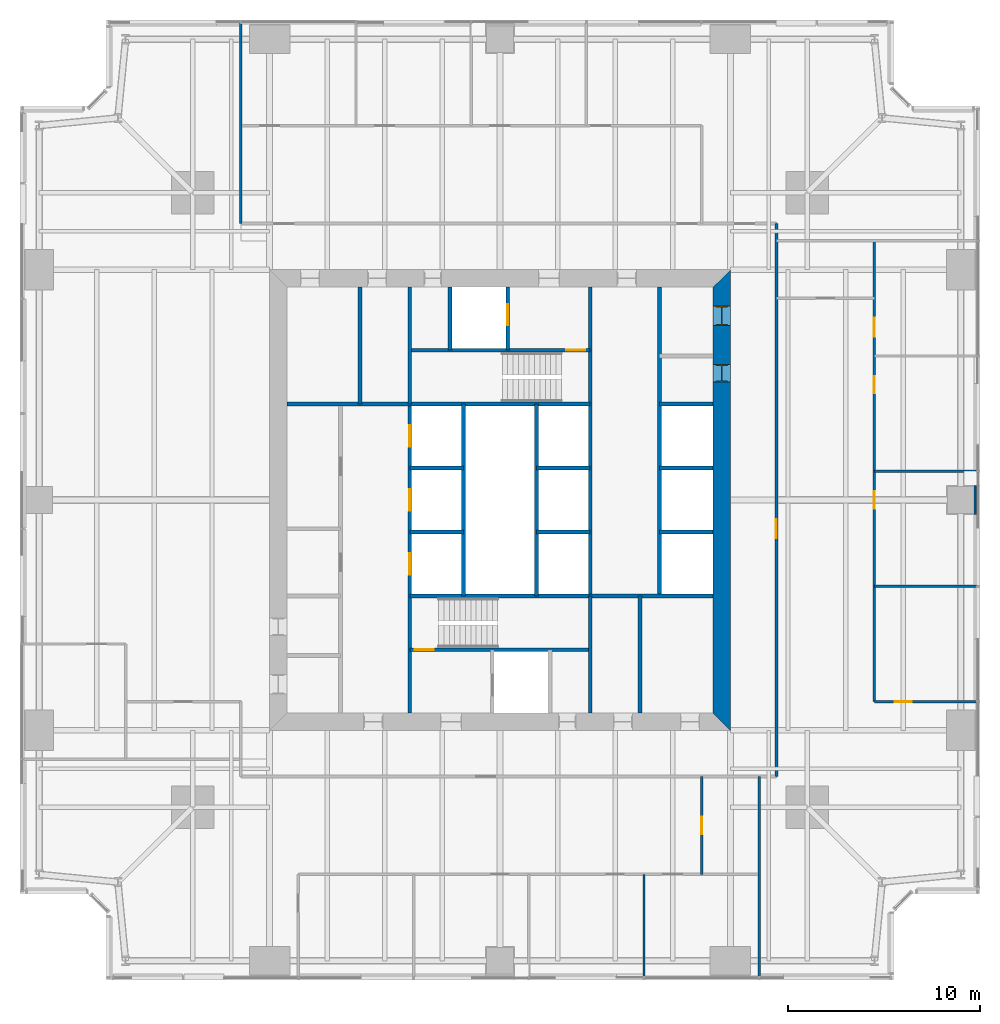
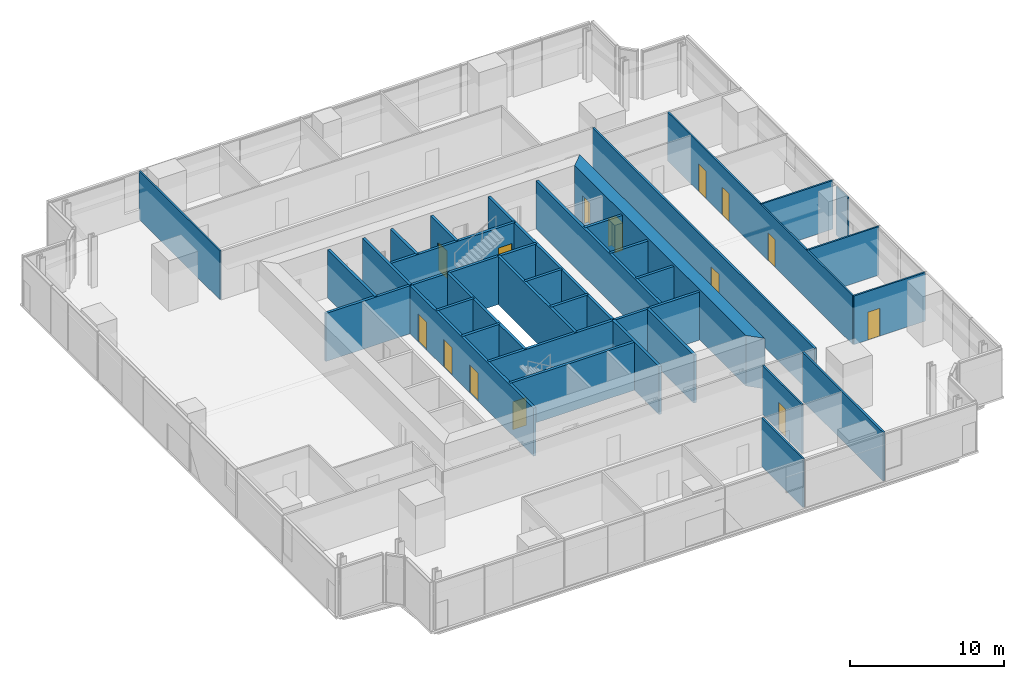
# One storey, part 10 of 13: 33 walls, 14 doors, 14 openings.
"""IFC4 building model written with IfcOpenShell, lengths in metres."""

from ifc_helpers import new_model, si_unit, direction, frame, frame_2d, origin, place, context, subcontext, project, spatial, polyline, rectangle, outline, extrude, material, layer, layer_set, type_object, element, fill, save


model = new_model("IFC4")

# Units and contexts
model_context = context("Model", 3, precision=1e-05, world=origin(), true_north=direction((0.0, 1.0)))
body_context = subcontext(model_context, "Body", "Model", "MODEL_VIEW")
ifc_project = project(units=[si_unit("LENGTHUNIT", "METRE"), si_unit("AREAUNIT", "SQUARE_METRE"), si_unit("VOLUMEUNIT", "CUBIC_METRE"), si_unit("PLANEANGLEUNIT", "RADIAN"), si_unit("MASSUNIT", "GRAM", prefix="KILO")], contexts=[model_context])

# Site, building, storey
site_placement = place(None, origin())
site = spatial("IfcSite", under=ifc_project, at=site_placement, CompositionType="ELEMENT")
building_placement = place(site_placement, origin())
building = spatial("IfcBuilding", under=site, at=building_placement, Name="Fenwick Lantern Interchange", CompositionType="ELEMENT")
storey_placement = place(building_placement, frame((0.0, 0.0, 106.39990234375)))
storey = spatial("IfcBuildingStorey", under=building, at=storey_placement, Name="L24", CompositionType="ELEMENT", Elevation=106.39990234375)

# Walls
ifc_material_1 = material(Name="Fire-rated gypsum board encasement on steel studs, 2 hour", Category="steel")
ifc_layer_1 = layer(ifc_material_1, 1.5)
ifc_layer_set_1 = layer_set([ifc_layer_1], Name="COLUMN PIER 1500")
wall_type_1 = type_object("IfcWallType", Name="COLUMN PIER 1500", PredefinedType="PARTITIONING", material=ifc_layer_set_1)
wall_1_placement = place(storey_placement, frame((49.800048828125, 25.0, 0.0), z_axis=(0.0, 0.0, 1.0), x_axis=(-1.0, 0.0, 0.0)))
element("IfcWall", 1, at=wall_1_placement, inside=storey, type_object=wall_type_1, Name="L24/W/PIER/CE3", PredefinedType="PARTITIONING", context=body_context, shape_type="SweptSolid", body=[
    extrude(rectangle(XDim=0.10009765625, YDim=1.5, at=frame_2d((0.050048828125, 0.0))), origin(), (0.0, 0.0, 1.0), 3.85009765625),
])
ifc_material_2 = material(Name="Concrete masonry ASTM C90 Grade N", Category="masonry")
ifc_layer_2 = layer(ifc_material_2, 0.199951171875)
ifc_layer_set_2 = layer_set([ifc_layer_2], Name="Concrete masonry ASTM C90 Grade N")
wall_type_2 = type_object("IfcWallType", Name="CORE PARTITION 200", PredefinedType="PARTITIONING", material=ifc_layer_set_2)
for number, where, z_axis, x_axis, name in (
    (2, (20.300048828125, 23.333251953125, 0.0), (0.0, 0.0, 1.0), (1.0, 0.0, 0.0), "L24/W/CORES/e1"),
    (3, (20.300048828125, 26.666748046875, 0.0), (0.0, 0.0, 1.0), (1.0, 0.0, 0.0), "L24/W/CORES/e2"),
):
    element("IfcWall", number, at=place(storey_placement, frame(where, z_axis=z_axis, x_axis=x_axis)), inside=storey, type_object=wall_type_2, Name=name, PredefinedType="PARTITIONING", context=body_context, shape_type="SweptSolid", body=[
        extrude(rectangle(XDim=2.800048828125, YDim=0.199951171875, at=frame_2d((1.39990234375, 0.0))), origin(), (0.0, 0.0, 1.0), 3.800048828125),
    ])
wall_2_placement = place(storey_placement, frame((23.10009765625, 20.0, 0.0), z_axis=(0.0, 0.0, 1.0), x_axis=(0.0, 1.0, 0.0)))
element("IfcWall", 4, at=wall_2_placement, inside=storey, type_object=wall_type_2, Name="L24/W/CORES/e3", PredefinedType="PARTITIONING", context=body_context, shape_type="SweptSolid", body=[
    extrude(rectangle(XDim=10.0, YDim=0.199951171875, at=frame_2d((5.0, 0.0))), origin(), (0.0, 0.0, 1.0), 3.800048828125),
])
wall_3_placement = place(storey_placement, frame((32.300048828125, 13.89990234375, 0.0), z_axis=(0.0, 0.0, 1.0), x_axis=(0.0, 1.0, 0.0)))
element("IfcWall", 5, at=wall_3_placement, inside=storey, type_object=wall_type_2, Name="L24/W/CORES/i2", PredefinedType="PARTITIONING", context=body_context, shape_type="SweptSolid", body=[
    extrude(rectangle(XDim=6.10009765625, YDim=0.199951171875, at=frame_2d((3.050048828125, 0.0))), origin(), (0.0, 0.0, 1.0), 3.800048828125),
])
wall_4_placement = place(storey_placement, frame((33.300048828125, 36.10009765625, 0.0), z_axis=(0.0, 0.0, 1.0), x_axis=(0.0, -1.0, 0.0)))
element("IfcWall", 6, at=wall_4_placement, inside=storey, type_object=wall_type_2, Name="L24/W/COREN/a", PredefinedType="PARTITIONING", context=body_context, shape_type="SweptSolid", body=[
    extrude(rectangle(XDim=16.10009765625, YDim=0.199951171875, at=frame_2d((8.050048828125, 0.0))), origin(), (0.0, 0.0, 1.0), 3.800048828125),
])
for number, where, z_axis, x_axis, name in (
    (7, (36.10009765625, 30.0, 0.0), (0.0, 0.0, 1.0), (-1.0, 0.0, 0.0), "L24/W/COREN/c2"),
    (8, (36.10009765625, 26.666748046875, 0.0), (0.0, 0.0, 1.0), (-1.0, 0.0, 0.0), "L24/W/COREN/d1"),
    (9, (36.10009765625, 23.333251953125, 0.0), (0.0, 0.0, 1.0), (-1.0, 0.0, 0.0), "L24/W/COREN/d2"),
    (10, (29.699951171875, 26.666748046875, 0.0), (0.0, 0.0, 1.0), (-1.0, 0.0, 0.0), "L24/W/COREN/e1"),
    (11, (29.699951171875, 23.333251953125, 0.0), (0.0, 0.0, 1.0), (-1.0, 0.0, 0.0), "L24/W/COREN/e2"),
):
    element("IfcWall", number, at=place(storey_placement, frame(where, z_axis=z_axis, x_axis=x_axis)), inside=storey, type_object=wall_type_2, Name=name, PredefinedType="PARTITIONING", context=body_context, shape_type="SweptSolid", body=[
        extrude(rectangle(XDim=2.800048828125, YDim=0.199951171875, at=frame_2d((1.39990234375, 0.0))), origin(), (0.0, 0.0, 1.0), 3.800048828125),
    ])
wall_5_placement = place(storey_placement, frame((26.89990234375, 30.0, 0.0), z_axis=(0.0, 0.0, 1.0), x_axis=(0.0, -1.0, 0.0)))
element("IfcWall", 12, at=wall_5_placement, inside=storey, type_object=wall_type_2, Name="L24/W/COREN/e3", PredefinedType="PARTITIONING", context=body_context, shape_type="SweptSolid", body=[
    extrude(rectangle(XDim=10.0, YDim=0.199951171875, at=frame_2d((5.0, 0.0))), origin(), (0.0, 0.0, 1.0), 3.800048828125),
])

# Wall, opening, door
wall_6_placement = place(storey_placement, frame((25.39990234375, 36.10009765625, 0.0), z_axis=(0.0, 0.0, 1.0), x_axis=(0.0, -1.0, 0.0)))
wall_6 = element("IfcWall", 13, at=wall_6_placement, inside=storey, type_object=wall_type_2, Name="L24/W/COREN/h1", PredefinedType="PARTITIONING", context=body_context, shape_type="SweptSolid", body=[
    extrude(rectangle(XDim=3.300048828125, YDim=0.199951171875, at=frame_2d((1.64990234375, 0.0))), origin(), (0.0, 0.0, 1.0), 3.800048828125),
])
opening_1_placement = place(wall_6_placement, frame((0.89990234375, 0.0, 0.0)))
opening_1 = element("IfcOpeningElement", 14, at=opening_1_placement, cuts=wall_6, Name="Opening LD-FL2", PredefinedType="OPENING", context=body_context, shape_type="SweptSolid", body=[
    extrude(rectangle(XDim=1.10009765625, YDim=2.199951171875, at=frame_2d((0.550048828125, 1.10009765625))), frame((0.0, 0.10986328125, 0.0), z_axis=(0.0, -1.0, 0.0), x_axis=(1.0, 0.0, 0.0)), (0.0, 0.0, 1.0), 0.219970703125),
])
ifc_material_3 = material(Name="Steel door and frame", Category="steel")
door_type_1 = type_object("IfcDoorType", Name="LIFT LANDING DOOR 1100 X 2200", OperationType="DOUBLE_DOOR_SLIDING", PredefinedType="DOOR", material=ifc_material_3)
door_1_placement = place(opening_1_placement, origin())
door_1 = element("IfcDoor", 15, at=door_1_placement, inside=storey, type_object=door_type_1, Name="Lift landing door FL2", OperationType="DOUBLE_DOOR_SLIDING", OverallHeight=2.199951171875, OverallWidth=1.10009765625, PredefinedType="DOOR", context=body_context, shape_type="SweptSolid", body=[
    extrude(rectangle(XDim=1.10009765625, YDim=2.199951171875, at=frame_2d((0.550048828125, 1.10009765625))), frame((0.0, 0.02490234375, 0.0), z_axis=(0.0, -1.0, 0.0), x_axis=(1.0, 0.0, 0.0)), (0.0, 0.0, 1.0), 0.050048828125),
])
fill(opening_1, door_1)

# Walls
wall_7_placement = place(storey_placement, frame((22.39990234375, 36.10009765625, 0.0), z_axis=(0.0, 0.0, 1.0), x_axis=(0.0, -1.0, 0.0)))
element("IfcWall", 16, at=wall_7_placement, inside=storey, type_object=wall_type_2, Name="L24/W/COREN/h2", PredefinedType="PARTITIONING", context=body_context, shape_type="SweptSolid", body=[
    extrude(rectangle(XDim=3.300048828125, YDim=0.199951171875, at=frame_2d((1.64990234375, 0.0))), origin(), (0.0, 0.0, 1.0), 3.800048828125),
])
wall_8_placement = place(storey_placement, frame((17.699951171875, 36.10009765625, 0.0), z_axis=(0.0, 0.0, 1.0), x_axis=(0.0, -1.0, 0.0)))
element("IfcWall", 17, at=wall_8_placement, inside=storey, type_object=wall_type_2, Name="L24/W/COREN/i2", PredefinedType="PARTITIONING", context=body_context, shape_type="SweptSolid", body=[
    extrude(rectangle(XDim=6.10009765625, YDim=0.199951171875, at=frame_2d((3.050048828125, 0.0))), origin(), (0.0, 0.0, 1.0), 3.800048828125),
])

# Wall, openings, doors
ifc_material_4 = material(Name="Concrete f'c 70 MPa", Category="concrete")
ifc_layer_3 = layer(ifc_material_4, 0.89990234375)
ifc_layer_set_3 = layer_set([ifc_layer_3], Name="CORE WALL 900")
wall_type_3 = type_object("IfcWallType", Name="CORE WALL 900", PredefinedType="SHEAR", material=ifc_layer_set_3)
wall_9_placement = place(storey_placement, frame((36.550048828125, 13.89990234375, 0.0), z_axis=(0.0, 0.0, 1.0), x_axis=(0.0, 1.0, 0.0)))
wall_9 = element("IfcWall", 18, at=wall_9_placement, inside=storey, type_object=wall_type_3, Name="L24/CORE/E", PredefinedType="SHEAR", context=body_context, shape_type="SweptSolid", body=[
    extrude(outline(polyline([(-0.89990234375, -0.449951171875), (23.10009765625, -0.449951171875), (22.199951171875, 0.449951171875), (0.0, 0.449951171875), (-0.89990234375, -0.449951171875)])), origin(), (0.0, 0.0, 1.0), 4.0),
])
opening_2_placement = place(wall_9_placement, frame((20.199951171875, 0.0, 0.0)))
opening_2 = element("IfcOpeningElement", 19, at=opening_2_placement, cuts=wall_9, Name="Opening L24-D017", PredefinedType="OPENING", context=body_context, shape_type="SweptSolid", body=[
    extrude(rectangle(XDim=1.0, YDim=2.199951171875, at=frame_2d((0.5, 1.10009765625))), frame((0.0, 0.4599609375, 0.0), z_axis=(0.0, -1.0, 0.0), x_axis=(1.0, 0.0, 0.0)), (0.0, 0.0, 1.0), 0.919921875),
])
opening_3_placement = place(wall_9_placement, frame((17.25, 0.0, 0.0)))
opening_3 = element("IfcOpeningElement", 20, at=opening_3_placement, cuts=wall_9, Name="Opening L24-D018", PredefinedType="OPENING", context=body_context, shape_type="SweptSolid", body=[
    extrude(rectangle(XDim=0.89990234375, YDim=2.199951171875, at=frame_2d((0.449951171875, 1.10009765625))), frame((0.0, 0.4599609375, 0.0), z_axis=(0.0, -1.0, 0.0), x_axis=(1.0, 0.0, 0.0)), (0.0, 0.0, 1.0), 0.919921875),
])
door_type_2 = type_object("IfcDoorType", Name="SERVICE DOOR 900 X 2200", OperationType="SINGLE_SWING_LEFT", PredefinedType="DOOR", material=ifc_material_3)
door_2_placement = place(opening_3_placement, origin())
door_2 = element("IfcDoor", 21, at=door_2_placement, inside=storey, type_object=door_type_2, Name="Service door", OperationType="SINGLE_SWING_RIGHT", OverallHeight=2.199951171875, OverallWidth=0.89990234375, PredefinedType="DOOR", context=body_context, shape_type="SweptSolid", body=[
    extrude(rectangle(XDim=0.89990234375, YDim=2.199951171875, at=frame_2d((0.449951171875, 1.10009765625))), frame((0.0, 0.02490234375, 0.0), z_axis=(0.0, -1.0, 0.0), x_axis=(1.0, 0.0, 0.0)), (0.0, 0.0, 1.0), 0.050048828125),
    extrude(outline(polyline([(0.0, 0.0), (0.0400390625, 0.0), (0.0400390625, 2.159912109375), (0.85986328125, 2.159912109375), (0.85986328125, 0.0), (0.89990234375, 0.0), (0.89990234375, 2.199951171875), (0.0, 2.199951171875), (0.0, 0.0)])), frame((0.0, 0.300048828125, 0.0), z_axis=(0.0, -1.0, 0.0), x_axis=(1.0, 0.0, 0.0)), (0.0, 0.0, 1.0), 0.60009765625),
])
fill(opening_3, door_2)
ifc_material_5 = material(Name="Hardwood door and steel frame", Category="steel")
door_type_3 = type_object("IfcDoorType", Name="WC DOOR 1000 X 2200", OperationType="SINGLE_SWING_LEFT", PredefinedType="DOOR", material=ifc_material_5)
door_3_placement = place(opening_2_placement, origin())
door_3 = element("IfcDoor", 22, at=door_3_placement, inside=storey, type_object=door_type_3, Name="Wc door", OperationType="SINGLE_SWING_RIGHT", OverallHeight=2.199951171875, OverallWidth=1.0, PredefinedType="DOOR", context=body_context, shape_type="SweptSolid", body=[
    extrude(rectangle(XDim=1.0, YDim=2.199951171875, at=frame_2d((0.5, 1.10009765625))), frame((0.0, 0.02490234375, 0.0), z_axis=(0.0, -1.0, 0.0), x_axis=(1.0, 0.0, 0.0)), (0.0, 0.0, 1.0), 0.050048828125),
    extrude(outline(polyline([(0.0, 0.0), (0.0400390625, 0.0), (0.0400390625, 2.159912109375), (0.9599609375, 2.159912109375), (0.9599609375, 0.0), (1.0, 0.0), (1.0, 2.199951171875), (0.0, 2.199951171875), (0.0, 0.0)])), frame((0.0, 0.300048828125, 0.0), z_axis=(0.0, -1.0, 0.0), x_axis=(1.0, 0.0, 0.0)), (0.0, 0.0, 1.0), 0.60009765625),
])
fill(opening_2, door_3)

# Wall, opening, door
ifc_material_6 = material(Name="Gypsum board on steel studs, 1 hour", Category="steel")
ifc_layer_4 = layer(ifc_material_6, 0.14990234375)
ifc_layer_set_4 = layer_set([ifc_layer_4], Name="CORRIDOR WALL 150")
wall_type_4 = type_object("IfcWallType", Name="CORRIDOR WALL 150", PredefinedType="PARTITIONING", material=ifc_layer_set_4)
wall_10_placement = place(storey_placement, frame((39.39990234375, 10.60009765625, 0.0), z_axis=(0.0, 0.0, 1.0), x_axis=(0.0, 1.0, 0.0)))
wall_10 = element("IfcWall", 23, at=wall_10_placement, inside=storey, type_object=wall_type_4, Name="L24/W/OFF/E/CW2", PredefinedType="PARTITIONING", context=body_context, shape_type="SweptSolid", body=[
    extrude(rectangle(XDim=28.7998046875, YDim=0.14990234375, at=frame_2d((14.39990234375, 0.0))), origin(), (0.0, 0.0, 1.0), 3.85009765625),
])
opening_4_placement = place(wall_10_placement, frame((12.39990234375, 0.0, 0.0)))
opening_4 = element("IfcOpeningElement", 24, at=opening_4_placement, cuts=wall_10, Name="Opening L24-D025", PredefinedType="OPENING", context=body_context, shape_type="SweptSolid", body=[
    extrude(rectangle(XDim=1.0, YDim=2.199951171875, at=frame_2d((0.5, 1.10009765625))), frame((0.0, 0.0849609375, 0.0), z_axis=(0.0, -1.0, 0.0), x_axis=(1.0, 0.0, 0.0)), (0.0, 0.0, 1.0), 0.169921875),
])
door_type_4 = type_object("IfcDoorType", Name="SUITE ENTRANCE DOOR 1000 X 2200", OperationType="SINGLE_SWING_LEFT", PredefinedType="DOOR", material=ifc_material_3)
door_4_placement = place(opening_4_placement, frame((1.0, 0.0, 0.0), z_axis=(0.0, 0.0, 1.0), x_axis=(-1.0, 0.0, 0.0)))
door_4 = element("IfcDoor", 25, at=door_4_placement, inside=storey, type_object=door_type_4, Name="Suite entrance door", OperationType="SINGLE_SWING_LEFT", OverallHeight=2.199951171875, OverallWidth=1.0, PredefinedType="DOOR", context=body_context, shape_type="SweptSolid", body=[
    extrude(rectangle(XDim=1.0, YDim=2.199951171875, at=frame_2d((0.5, 1.10009765625))), frame((0.0, 0.02490234375, 0.0), z_axis=(0.0, -1.0, 0.0), x_axis=(1.0, 0.0, 0.0)), (0.0, 0.0, 1.0), 0.050048828125),
])
fill(opening_4, door_4)

# Wall
ifc_material_7 = material(Name="Gypsum board on steel studs, acoustic", Category="steel")
ifc_layer_5 = layer(ifc_material_7, 0.125)
ifc_layer_set_5 = layer_set([ifc_layer_5], Name="OFFICE PARTITION 125")
wall_type_5 = type_object("IfcWallType", Name="OFFICE PARTITION 125", PredefinedType="PARTITIONING", material=ifc_layer_set_5)
wall_11_placement = place(storey_placement, frame((32.5, 0.14990234375, 0.0), z_axis=(0.0, 0.0, 1.0), x_axis=(0.0, 1.0, 0.0)))
element("IfcWall", 26, at=wall_11_placement, inside=storey, type_object=wall_type_5, Name="L24/W/OFF/S/X325-1", PredefinedType="PARTITIONING", context=body_context, shape_type="SweptSolid", body=[
    extrude(rectangle(XDim=5.35009765625, YDim=0.125, at=frame_2d((2.675048828125, 0.0))), origin(), (0.0, 0.0, 1.0), 3.85009765625),
])

# Wall, opening, door
wall_12_placement = place(storey_placement, frame((35.5, 5.5, 0.0), z_axis=(0.0, 0.0, 1.0), x_axis=(0.0, 1.0, 0.0)))
wall_12 = element("IfcWall", 27, at=wall_12_placement, inside=storey, type_object=wall_type_5, Name="L24/W/OFF/S/X355-1", PredefinedType="PARTITIONING", context=body_context, shape_type="SweptSolid", body=[
    extrude(rectangle(XDim=5.10009765625, YDim=0.125, at=frame_2d((2.550048828125, 0.0))), origin(), (0.0, 0.0, 1.0), 3.85009765625),
])
opening_5_placement = place(wall_12_placement, frame((2.10009765625, 0.0, 0.0)))
opening_5 = element("IfcOpeningElement", 28, at=opening_5_placement, cuts=wall_12, Name="Opening L24-D024", PredefinedType="OPENING", context=body_context, shape_type="SweptSolid", body=[
    extrude(rectangle(XDim=0.89990234375, YDim=2.199951171875, at=frame_2d((0.449951171875, 1.10009765625))), frame((0.0, 0.072509765625, 0.0), z_axis=(0.0, -1.0, 0.0), x_axis=(1.0, 0.0, 0.0)), (0.0, 0.0, 1.0), 0.14501953125),
])
door_type_5 = type_object("IfcDoorType", Name="OFFICE DOOR 900 X 2200", OperationType="SINGLE_SWING_LEFT", PredefinedType="DOOR", material=ifc_material_5)
door_5_placement = place(opening_5_placement, frame((0.89990234375, 0.0, 0.0), z_axis=(0.0, 0.0, 1.0), x_axis=(-1.0, 0.0, 0.0)))
door_5 = element("IfcDoor", 29, at=door_5_placement, inside=storey, type_object=door_type_5, Name="Office door", OperationType="SINGLE_SWING_RIGHT", OverallHeight=2.199951171875, OverallWidth=0.89990234375, PredefinedType="DOOR", context=body_context, shape_type="SweptSolid", body=[
    extrude(rectangle(XDim=0.89990234375, YDim=2.199951171875, at=frame_2d((0.449951171875, 1.10009765625))), frame((0.0, 0.02490234375, 0.0), z_axis=(0.0, -1.0, 0.0), x_axis=(1.0, 0.0, 0.0)), (0.0, 0.0, 1.0), 0.050048828125),
])
fill(opening_5, door_5)

wall_13_placement = place(storey_placement, frame((49.85009765625, 14.5, 0.0), z_axis=(0.0, 0.0, 1.0), x_axis=(-1.0, 0.0, 0.0)))
wall_13 = element("IfcWall", 30, at=wall_13_placement, inside=storey, type_object=wall_type_5, Name="L24/W/OFF/E/X145-1", PredefinedType="PARTITIONING", context=body_context, shape_type="SweptSolid", body=[
    extrude(rectangle(XDim=5.35009765625, YDim=0.125, at=frame_2d((2.675048828125, 0.0))), origin(), (0.0, 0.0, 1.0), 3.85009765625),
])
opening_6_placement = place(wall_13_placement, frame((3.39990234375, 0.0, 0.0)))
opening_6 = element("IfcOpeningElement", 31, at=opening_6_placement, cuts=wall_13, Name="Opening L24-D026", PredefinedType="OPENING", context=body_context, shape_type="SweptSolid", body=[
    extrude(rectangle(XDim=0.89990234375, YDim=2.199951171875, at=frame_2d((0.449951171875, 1.10009765625))), frame((0.0, 0.072509765625, 0.0), z_axis=(0.0, -1.0, 0.0), x_axis=(1.0, 0.0, 0.0)), (0.0, 0.0, 1.0), 0.14501953125),
])
door_6_placement = place(opening_6_placement, frame((0.89990234375, 0.0, 0.0), z_axis=(0.0, 0.0, 1.0), x_axis=(-1.0, 0.0, 0.0)))
door_6 = element("IfcDoor", 32, at=door_6_placement, inside=storey, type_object=door_type_5, Name="Office door", OperationType="SINGLE_SWING_LEFT", OverallHeight=2.199951171875, OverallWidth=0.89990234375, PredefinedType="DOOR", context=body_context, shape_type="SweptSolid", body=[
    extrude(rectangle(XDim=0.89990234375, YDim=2.199951171875, at=frame_2d((0.449951171875, 1.10009765625))), frame((0.0, 0.02490234375, 0.0), z_axis=(0.0, -1.0, 0.0), x_axis=(1.0, 0.0, 0.0)), (0.0, 0.0, 1.0), 0.050048828125),
])
fill(opening_6, door_6)

# Walls
for number, where, z_axis, x_axis, name in (
    (33, (49.85009765625, 20.5, 0.0), (0.0, 0.0, 1.0), (-1.0, 0.0, 0.0), "L24/W/OFF/E/X205-1"),
    (34, (49.85009765625, 26.5, 0.0), (0.0, 0.0, 1.0), (-1.0, 0.0, 0.0), "L24/W/OFF/E/X265-1"),
):
    element("IfcWall", number, at=place(storey_placement, frame(where, z_axis=z_axis, x_axis=x_axis)), inside=storey, type_object=wall_type_5, Name=name, PredefinedType="PARTITIONING", context=body_context, shape_type="SweptSolid", body=[
        extrude(rectangle(XDim=5.35009765625, YDim=0.125, at=frame_2d((2.675048828125, 0.0))), origin(), (0.0, 0.0, 1.0), 3.85009765625),
    ])

# Wall, openings, doors
wall_14_placement = place(storey_placement, frame((44.5, 14.5, 0.0), z_axis=(0.0, 0.0, 1.0), x_axis=(0.0, 1.0, 0.0)))
wall_14 = element("IfcWall", 35, at=wall_14_placement, inside=storey, type_object=wall_type_5, Name="L24/W/OFF/E/Y55-1", PredefinedType="PARTITIONING", context=body_context, shape_type="SweptSolid", body=[
    extrude(rectangle(XDim=24.0, YDim=0.125, at=frame_2d((12.0, 0.0))), origin(), (0.0, 0.0, 1.0), 3.85009765625),
])
opening_7_placement = place(wall_14_placement, frame((10.050048828125, 0.0, 0.0)))
opening_7 = element("IfcOpeningElement", 36, at=opening_7_placement, cuts=wall_14, Name="Opening L24-D027", PredefinedType="OPENING", context=body_context, shape_type="SweptSolid", body=[
    extrude(rectangle(XDim=0.89990234375, YDim=2.199951171875, at=frame_2d((0.449951171875, 1.10009765625))), frame((0.0, 0.072509765625, 0.0), z_axis=(0.0, -1.0, 0.0), x_axis=(1.0, 0.0, 0.0)), (0.0, 0.0, 1.0), 0.14501953125),
])
opening_8_placement = place(wall_14_placement, frame((16.050048828125, 0.0, 0.0)))
opening_8 = element("IfcOpeningElement", 37, at=opening_8_placement, cuts=wall_14, Name="Opening L24-D028", PredefinedType="OPENING", context=body_context, shape_type="SweptSolid", body=[
    extrude(rectangle(XDim=0.89990234375, YDim=2.199951171875, at=frame_2d((0.449951171875, 1.10009765625))), frame((0.0, 0.072509765625, 0.0), z_axis=(0.0, -1.0, 0.0), x_axis=(1.0, 0.0, 0.0)), (0.0, 0.0, 1.0), 0.14501953125),
])
opening_9_placement = place(wall_14_placement, frame((19.0, 0.0, 0.0)))
opening_9 = element("IfcOpeningElement", 38, at=opening_9_placement, cuts=wall_14, Name="Opening L24-D029", PredefinedType="OPENING", context=body_context, shape_type="SweptSolid", body=[
    extrude(rectangle(XDim=1.0, YDim=2.199951171875, at=frame_2d((0.5, 1.10009765625))), frame((0.0, 0.072509765625, 0.0), z_axis=(0.0, -1.0, 0.0), x_axis=(1.0, 0.0, 0.0)), (0.0, 0.0, 1.0), 0.14501953125),
])
door_type_6 = type_object("IfcDoorType", Name="MEETING ROOM DOOR 1000 X 2200", OperationType="SINGLE_SWING_LEFT", PredefinedType="DOOR", material=ifc_material_5)
door_7_placement = place(opening_9_placement, frame((1.0, 0.0, 0.0), z_axis=(0.0, 0.0, 1.0), x_axis=(-1.0, 0.0, 0.0)))
door_7 = element("IfcDoor", 39, at=door_7_placement, inside=storey, type_object=door_type_6, Name="Meeting room door", OperationType="SINGLE_SWING_RIGHT", OverallHeight=2.199951171875, OverallWidth=1.0, PredefinedType="DOOR", context=body_context, shape_type="SweptSolid", body=[
    extrude(rectangle(XDim=1.0, YDim=2.199951171875, at=frame_2d((0.5, 1.10009765625))), frame((0.0, 0.02490234375, 0.0), z_axis=(0.0, -1.0, 0.0), x_axis=(1.0, 0.0, 0.0)), (0.0, 0.0, 1.0), 0.050048828125),
])
fill(opening_9, door_7)
door_8_placement = place(opening_7_placement, frame((0.89990234375, 0.0, 0.0), z_axis=(0.0, 0.0, 1.0), x_axis=(-1.0, 0.0, 0.0)))
door_8 = element("IfcDoor", 40, at=door_8_placement, inside=storey, type_object=door_type_5, Name="Office door", OperationType="SINGLE_SWING_LEFT", OverallHeight=2.199951171875, OverallWidth=0.89990234375, PredefinedType="DOOR", context=body_context, shape_type="SweptSolid", body=[
    extrude(rectangle(XDim=0.89990234375, YDim=2.199951171875, at=frame_2d((0.449951171875, 1.10009765625))), frame((0.0, 0.02490234375, 0.0), z_axis=(0.0, -1.0, 0.0), x_axis=(1.0, 0.0, 0.0)), (0.0, 0.0, 1.0), 0.050048828125),
])
fill(opening_7, door_8)
door_9_placement = place(opening_8_placement, frame((0.89990234375, 0.0, 0.0), z_axis=(0.0, 0.0, 1.0), x_axis=(-1.0, 0.0, 0.0)))
door_9 = element("IfcDoor", 41, at=door_9_placement, inside=storey, type_object=door_type_5, Name="Office door", OperationType="SINGLE_SWING_LEFT", OverallHeight=2.199951171875, OverallWidth=0.89990234375, PredefinedType="DOOR", context=body_context, shape_type="SweptSolid", body=[
    extrude(rectangle(XDim=0.89990234375, YDim=2.199951171875, at=frame_2d((0.449951171875, 1.10009765625))), frame((0.0, 0.02490234375, 0.0), z_axis=(0.0, -1.0, 0.0), x_axis=(1.0, 0.0, 0.0)), (0.0, 0.0, 1.0), 0.050048828125),
])
fill(opening_8, door_9)

# Wall
wall_15_placement = place(storey_placement, frame((11.5, 49.85009765625, 0.0), z_axis=(0.0, 0.0, 1.0), x_axis=(0.0, -1.0, 0.0)))
element("IfcWall", 42, at=wall_15_placement, inside=storey, type_object=wall_type_5, Name="L24/W/OFF/W/BACK", PredefinedType="PARTITIONING", context=body_context, shape_type="SweptSolid", body=[
    extrude(rectangle(XDim=10.4501953125, YDim=0.125, at=frame_2d((5.22509765625, 0.0))), origin(), (0.0, 0.0, 1.0), 3.85009765625),
])

# Wall, openings, doors
ifc_material_8 = material(Name="Concrete f'c 45 MPa", Category="concrete")
ifc_layer_6 = layer(ifc_material_8, 0.199951171875)
ifc_layer_set_6 = layer_set([ifc_layer_6], Name="STAIR CORE WALL 200")
wall_type_6 = type_object("IfcWallType", Name="STAIR CORE WALL 200", PredefinedType="SOLIDWALL", material=ifc_layer_set_6)
wall_16_placement = place(storey_placement, frame((20.300048828125, 13.89990234375, 0.0), z_axis=(0.0, 0.0, 1.0), x_axis=(0.0, 1.0, 0.0)))
wall_16 = element("IfcWall", 43, at=wall_16_placement, inside=storey, type_object=wall_type_6, Name="L24/W/CORES/b", PredefinedType="SOLIDWALL", context=body_context, shape_type="SweptSolid", body=[
    extrude(rectangle(XDim=16.10009765625, YDim=0.199951171875, at=frame_2d((8.050048828125, 0.0))), origin(), (0.0, 0.0, 1.0), 3.800048828125),
])
opening_10_placement = place(wall_16_placement, frame((7.216552734375, 0.0, 0.0)))
opening_10 = element("IfcOpeningElement", 44, at=opening_10_placement, cuts=wall_16, Name="Opening LD-W2-1", PredefinedType="OPENING", context=body_context, shape_type="SweptSolid", body=[
    extrude(rectangle(XDim=1.10009765625, YDim=2.199951171875, at=frame_2d((0.550048828125, 1.10009765625))), frame((0.0, 0.10986328125, 0.0), z_axis=(0.0, -1.0, 0.0), x_axis=(1.0, 0.0, 0.0)), (0.0, 0.0, 1.0), 0.219970703125),
])
opening_11_placement = place(wall_16_placement, frame((10.550048828125, 0.0, 0.0)))
opening_11 = element("IfcOpeningElement", 45, at=opening_11_placement, cuts=wall_16, Name="Opening LD-W2-2", PredefinedType="OPENING", context=body_context, shape_type="SweptSolid", body=[
    extrude(rectangle(XDim=1.10009765625, YDim=2.199951171875, at=frame_2d((0.550048828125, 1.10009765625))), frame((0.0, 0.10986328125, 0.0), z_axis=(0.0, -1.0, 0.0), x_axis=(1.0, 0.0, 0.0)), (0.0, 0.0, 1.0), 0.219970703125),
])
opening_12_placement = place(wall_16_placement, frame((13.88330078125, 0.0, 0.0)))
opening_12 = element("IfcOpeningElement", 46, at=opening_12_placement, cuts=wall_16, Name="Opening LD-W2-3", PredefinedType="OPENING", context=body_context, shape_type="SweptSolid", body=[
    extrude(rectangle(XDim=1.10009765625, YDim=2.199951171875, at=frame_2d((0.550048828125, 1.10009765625))), frame((0.0, 0.10986328125, 0.0), z_axis=(0.0, -1.0, 0.0), x_axis=(1.0, 0.0, 0.0)), (0.0, 0.0, 1.0), 0.219970703125),
])
door_10_placement = place(opening_10_placement, origin())
door_10 = element("IfcDoor", 47, at=door_10_placement, inside=storey, type_object=door_type_1, Name="Lift landing door W2-1", OperationType="DOUBLE_DOOR_SLIDING", OverallHeight=2.199951171875, OverallWidth=1.10009765625, PredefinedType="DOOR", context=body_context, shape_type="SweptSolid", body=[
    extrude(rectangle(XDim=1.10009765625, YDim=2.199951171875, at=frame_2d((0.550048828125, 1.10009765625))), frame((0.0, 0.02490234375, 0.0), z_axis=(0.0, -1.0, 0.0), x_axis=(1.0, 0.0, 0.0)), (0.0, 0.0, 1.0), 0.050048828125),
])
fill(opening_10, door_10)
door_11_placement = place(opening_11_placement, origin())
door_11 = element("IfcDoor", 48, at=door_11_placement, inside=storey, type_object=door_type_1, Name="Lift landing door W2-2", OperationType="DOUBLE_DOOR_SLIDING", OverallHeight=2.199951171875, OverallWidth=1.10009765625, PredefinedType="DOOR", context=body_context, shape_type="SweptSolid", body=[
    extrude(rectangle(XDim=1.10009765625, YDim=2.199951171875, at=frame_2d((0.550048828125, 1.10009765625))), frame((0.0, 0.02490234375, 0.0), z_axis=(0.0, -1.0, 0.0), x_axis=(1.0, 0.0, 0.0)), (0.0, 0.0, 1.0), 0.050048828125),
])
fill(opening_11, door_11)
door_12_placement = place(opening_12_placement, origin())
door_12 = element("IfcDoor", 49, at=door_12_placement, inside=storey, type_object=door_type_1, Name="Lift landing door W2-3", OperationType="DOUBLE_DOOR_SLIDING", OverallHeight=2.199951171875, OverallWidth=1.10009765625, PredefinedType="DOOR", context=body_context, shape_type="SweptSolid", body=[
    extrude(rectangle(XDim=1.10009765625, YDim=2.199951171875, at=frame_2d((0.550048828125, 1.10009765625))), frame((0.0, 0.02490234375, 0.0), z_axis=(0.0, -1.0, 0.0), x_axis=(1.0, 0.0, 0.0)), (0.0, 0.0, 1.0), 0.050048828125),
])
fill(opening_12, door_12)

# Wall, opening, door
wall_17_placement = place(storey_placement, frame((20.300048828125, 17.199951171875, 0.0), z_axis=(0.0, 0.0, 1.0), x_axis=(1.0, 0.0, 0.0)))
wall_17 = element("IfcWall", 50, at=wall_17_placement, inside=storey, type_object=wall_type_6, Name="L24/W/CORES/g1", PredefinedType="SOLIDWALL", context=body_context, shape_type="SweptSolid", body=[
    extrude(rectangle(XDim=9.39990234375, YDim=0.199951171875, at=frame_2d((4.699951171875, 0.0))), origin(), (0.0, 0.0, 1.0), 3.800048828125),
])
opening_13_placement = place(wall_17_placement, frame((0.25, 0.0, 0.0)))
opening_13 = element("IfcOpeningElement", 51, at=opening_13_placement, cuts=wall_17, Name="Opening L24-D003", PredefinedType="OPENING", context=body_context, shape_type="SweptSolid", body=[
    extrude(rectangle(XDim=1.0, YDim=2.199951171875, at=frame_2d((0.5, 1.10009765625))), frame((0.0, 0.10986328125, 0.0), z_axis=(0.0, -1.0, 0.0), x_axis=(1.0, 0.0, 0.0)), (0.0, 0.0, 1.0), 0.219970703125),
])
door_type_7 = type_object("IfcDoorType", Name="STAIR DOOR 1000 X 2200", OperationType="SINGLE_SWING_LEFT", PredefinedType="DOOR", material=ifc_material_3)
door_13_placement = place(opening_13_placement, origin())
door_13 = element("IfcDoor", 52, at=door_13_placement, inside=storey, type_object=door_type_7, Name="Stair door", OperationType="SINGLE_SWING_LEFT", OverallHeight=2.199951171875, OverallWidth=1.0, PredefinedType="DOOR", context=body_context, shape_type="SweptSolid", body=[
    extrude(rectangle(XDim=1.0, YDim=2.199951171875, at=frame_2d((0.5, 1.10009765625))), frame((0.0, 0.02490234375, 0.0), z_axis=(0.0, -1.0, 0.0), x_axis=(1.0, 0.0, 0.0)), (0.0, 0.0, 1.0), 0.050048828125),
])
fill(opening_13, door_13)

# Walls
wall_18_placement = place(storey_placement, frame((20.300048828125, 20.0, 0.0), z_axis=(0.0, 0.0, 1.0), x_axis=(1.0, 0.0, 0.0)))
element("IfcWall", 53, at=wall_18_placement, inside=storey, type_object=wall_type_6, Name="L24/W/CORES/g2", PredefinedType="SOLIDWALL", context=body_context, shape_type="SweptSolid", body=[
    extrude(rectangle(XDim=15.800048828125, YDim=0.199951171875, at=frame_2d((7.89990234375, 0.0))), origin(), (0.0, 0.0, 1.0), 3.800048828125),
])
wall_19_placement = place(storey_placement, frame((29.699951171875, 13.89990234375, 0.0), z_axis=(0.0, 0.0, 1.0), x_axis=(0.0, 1.0, 0.0)))
element("IfcWall", 54, at=wall_19_placement, inside=storey, type_object=wall_type_6, Name="L24/W/CORES/i1", PredefinedType="SOLIDWALL", context=body_context, shape_type="SweptSolid", body=[
    extrude(rectangle(XDim=6.10009765625, YDim=0.199951171875, at=frame_2d((3.050048828125, 0.0))), origin(), (0.0, 0.0, 1.0), 3.800048828125),
])
wall_20_placement = place(storey_placement, frame((29.699951171875, 36.10009765625, 0.0), z_axis=(0.0, 0.0, 1.0), x_axis=(0.0, -1.0, 0.0)))
element("IfcWall", 55, at=wall_20_placement, inside=storey, type_object=wall_type_6, Name="L24/W/COREN/b", PredefinedType="SOLIDWALL", context=body_context, shape_type="SweptSolid", body=[
    extrude(rectangle(XDim=16.10009765625, YDim=0.199951171875, at=frame_2d((8.050048828125, 0.0))), origin(), (0.0, 0.0, 1.0), 3.800048828125),
])

# Wall, opening, door
wall_21_placement = place(storey_placement, frame((29.699951171875, 32.800048828125, 0.0), z_axis=(0.0, 0.0, 1.0), x_axis=(-1.0, 0.0, 0.0)))
wall_21 = element("IfcWall", 56, at=wall_21_placement, inside=storey, type_object=wall_type_6, Name="L24/W/COREN/g1", PredefinedType="SOLIDWALL", context=body_context, shape_type="SweptSolid", body=[
    extrude(rectangle(XDim=9.39990234375, YDim=0.199951171875, at=frame_2d((4.699951171875, 0.0))), origin(), (0.0, 0.0, 1.0), 3.800048828125),
])
opening_14_placement = place(wall_21_placement, frame((0.25, 0.0, 0.0)))
opening_14 = element("IfcOpeningElement", 57, at=opening_14_placement, cuts=wall_21, Name="Opening L24-D013", PredefinedType="OPENING", context=body_context, shape_type="SweptSolid", body=[
    extrude(rectangle(XDim=1.0, YDim=2.199951171875, at=frame_2d((0.5, 1.10009765625))), frame((0.0, 0.10986328125, 0.0), z_axis=(0.0, -1.0, 0.0), x_axis=(1.0, 0.0, 0.0)), (0.0, 0.0, 1.0), 0.219970703125),
])
door_14_placement = place(opening_14_placement, origin())
door_14 = element("IfcDoor", 58, at=door_14_placement, inside=storey, type_object=door_type_7, Name="Stair door", OperationType="SINGLE_SWING_LEFT", OverallHeight=2.199951171875, OverallWidth=1.0, PredefinedType="DOOR", context=body_context, shape_type="SweptSolid", body=[
    extrude(rectangle(XDim=1.0, YDim=2.199951171875, at=frame_2d((0.5, 1.10009765625))), frame((0.0, 0.02490234375, 0.0), z_axis=(0.0, -1.0, 0.0), x_axis=(1.0, 0.0, 0.0)), (0.0, 0.0, 1.0), 0.050048828125),
])
fill(opening_14, door_14)

# Walls
wall_22_placement = place(storey_placement, frame((29.699951171875, 30.0, 0.0), z_axis=(0.0, 0.0, 1.0), x_axis=(-1.0, 0.0, 0.0)))
element("IfcWall", 59, at=wall_22_placement, inside=storey, type_object=wall_type_6, Name="L24/W/COREN/g2", PredefinedType="SOLIDWALL", context=body_context, shape_type="SweptSolid", body=[
    extrude(rectangle(XDim=15.800048828125, YDim=0.199951171875, at=frame_2d((7.89990234375, 0.0))), origin(), (0.0, 0.0, 1.0), 3.800048828125),
])
wall_23_placement = place(storey_placement, frame((20.300048828125, 36.10009765625, 0.0), z_axis=(0.0, 0.0, 1.0), x_axis=(0.0, -1.0, 0.0)))
element("IfcWall", 60, at=wall_23_placement, inside=storey, type_object=wall_type_6, Name="L24/W/COREN/i1", PredefinedType="SOLIDWALL", context=body_context, shape_type="SweptSolid", body=[
    extrude(rectangle(XDim=6.10009765625, YDim=0.199951171875, at=frame_2d((3.050048828125, 0.0))), origin(), (0.0, 0.0, 1.0), 3.800048828125),
])
ifc_material_9 = material(Name="Gypsum board on steel studs, 1 hour acoustic", Category="steel")
ifc_layer_7 = layer(ifc_material_9, 0.14990234375)
ifc_layer_set_7 = layer_set([ifc_layer_7], Name="TENANT WALL 150")
wall_type_7 = type_object("IfcWallType", Name="TENANT WALL 150", PredefinedType="PARTITIONING", material=ifc_layer_set_7)
wall_24_placement = place(storey_placement, frame((38.5, 0.14990234375, 0.0), z_axis=(0.0, 0.0, 1.0), x_axis=(0.0, 1.0, 0.0)))
element("IfcWall", 61, at=wall_24_placement, inside=storey, type_object=wall_type_7, Name="L24/W/OFF/E/BACK", PredefinedType="PARTITIONING", context=body_context, shape_type="SweptSolid", body=[
    extrude(rectangle(XDim=10.4501953125, YDim=0.14990234375, at=frame_2d((5.22509765625, 0.0))), origin(), (0.0, 0.0, 1.0), 3.85009765625),
])

save(model, "model.ifc")
